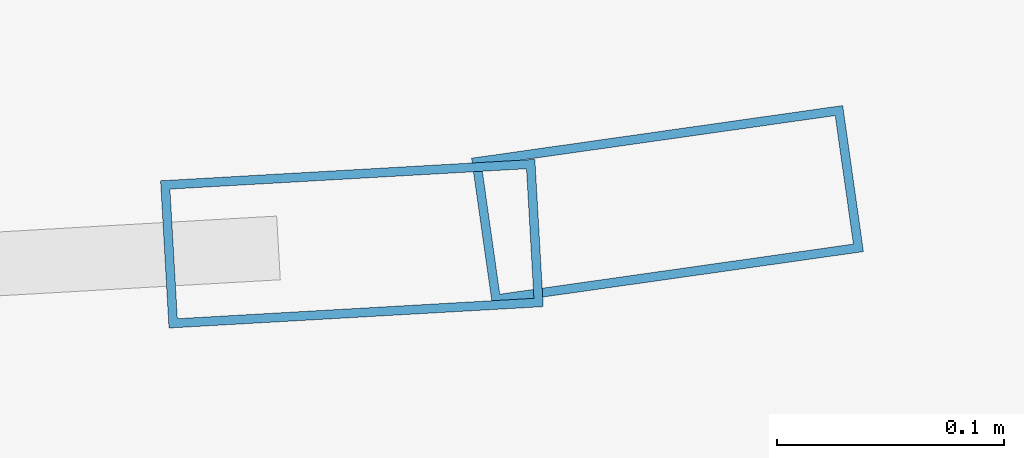
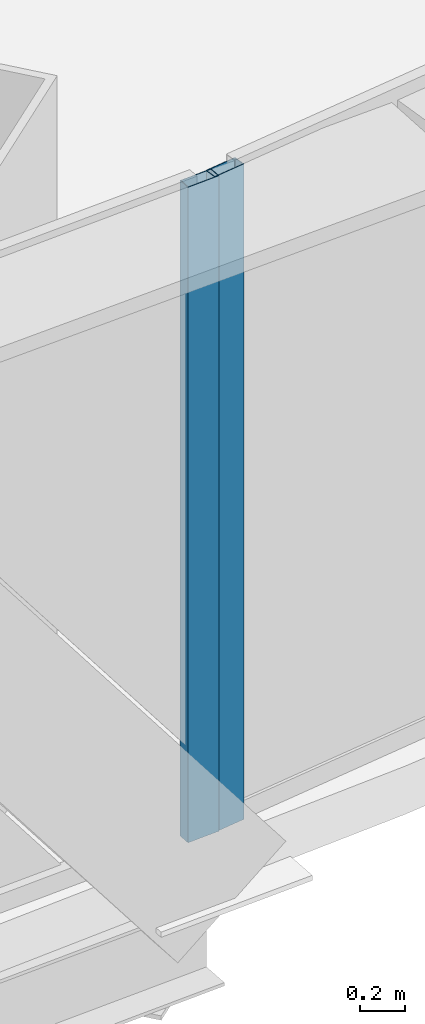
# One storey, part 14 of 41: 2 members, 2 elements without a shape of their own.
"""IFC4 building model written with IfcOpenShell, lengths in metres."""

from ifc_helpers import new_model, si_unit, direction, frame, origin, origin_2d, place, context, subcontext, project, spatial, hollow_rectangle, extrude, source, transform, mapped, material, layer, layer_set, material_profile, profile_set, type_object, element, aggregate, save


model = new_model("IFC4")

# Units and contexts
model_context = context("Model", 3, precision=1e-05, world=origin(), true_north=direction((0.0, 1.0)))
body_context = subcontext(model_context, "Body", "Model", "MODEL_VIEW")
ifc_project = project(units=[si_unit("LENGTHUNIT", "METRE"), si_unit("AREAUNIT", "SQUARE_METRE"), si_unit("VOLUMEUNIT", "CUBIC_METRE"), si_unit("PLANEANGLEUNIT", "RADIAN"), si_unit("MASSUNIT", "GRAM", prefix="KILO"), si_unit("THERMODYNAMICTEMPERATUREUNIT", "KELVIN"), si_unit("POWERUNIT", "WATT")], contexts=[model_context])

# Site, building, storey
site_placement = place(None, origin())
site = spatial("IfcSite", under=ifc_project, at=site_placement, CompositionType="ELEMENT")
building_placement = place(site_placement, origin())
building = spatial("IfcBuilding", under=site, at=building_placement, Name="Yunzhuo Pagoda Commons", CompositionType="ELEMENT")
storey_placement = place(building_placement, frame((0.0, 0.0, 111.580078125)))
storey = spatial("IfcBuildingStorey", under=building, at=storey_placement, Name="L28", CompositionType="ELEMENT", Elevation=111.580078125)

# Curtain wall, member
ifc_material = material(Name="Anodized aluminium 6063-T6", Category="aluminium")
ifc_layer = layer(ifc_material, 0.1650390625)
ifc_layer_set = layer_set([ifc_layer], Name="Anodized aluminium 6063-T6")
curtain_wall_type = type_object("IfcCurtainWallType", Name="CW-LOW Low-Zone Ribbon Curtain Wall", PredefinedType="NOTDEFINED", material=ifc_layer_set)
curtain_wall_1_placement = place(storey_placement, origin())
curtain_wall_1 = element("IfcCurtainWall", 1, at=curtain_wall_1_placement, inside=storey, type_object=curtain_wall_type, Name="L28 curtain wall CW-L28-F1B4", PredefinedType="NOTDEFINED")
ifc_material_profile = material_profile(ifc_material, hollow_rectangle(XDim=0.06494140625, YDim=0.1650390625, WallThickness=0.00390625, at=origin_2d()), Name="Anodized aluminium 6063-T6")
ifc_profile_set = profile_set([ifc_material_profile], Name="Anodized aluminium 6063-T6")
member_type = type_object("IfcMemberType", Name="CW-LOW-M Mullion RHS 165x65x4", PredefinedType="MULLION", material=ifc_profile_set)
shared_shape = source(origin(), body_context, "Body", "SweptSolid", [
    extrude(hollow_rectangle(XDim=0.06494140625, YDim=0.1650390625, WallThickness=0.00390625, at=origin_2d()), origin(), (0.0, 0.0, 1.0), 3.5400390625),
])
member_1_placement = place(storey_placement, frame((65.291259765625, 13.052490234375, 0.0), z_axis=(0.0, 0.0, 1.0), x_axis=(-0.057027757736, 0.998372593197, 0.0)))
member_1 = element("IfcMember", 2, at=member_1_placement, type_object=member_type, Name="CW mullion 2", PredefinedType="MULLION", context=body_context, shape_type="MappedRepresentation", body=[
    mapped(shared_shape, transform((0.0, 0.0, 0.0), scale=1.0)),
])
aggregate(curtain_wall_1, [member_1])

curtain_wall_2_placement = place(storey_placement, origin())
curtain_wall_2 = element("IfcCurtainWall", 3, at=curtain_wall_2_placement, inside=storey, type_object=curtain_wall_type, Name="L28 curtain wall CW-L28-F1B5", PredefinedType="NOTDEFINED")
member_2_placement = place(storey_placement, frame((65.43017578125, 13.069580078125, 0.0), z_axis=(0.0, 0.0, 1.0), x_axis=(-0.140408035721, 0.990093724606, 0.0)))
member_2 = element("IfcMember", 4, at=member_2_placement, type_object=member_type, Name="CW mullion 1", PredefinedType="MULLION", context=body_context, shape_type="MappedRepresentation", body=[
    mapped(shared_shape, transform((0.0, 0.0, 0.0), scale=1.0)),
])
aggregate(curtain_wall_2, [member_2])

save(model, "model.ifc")
